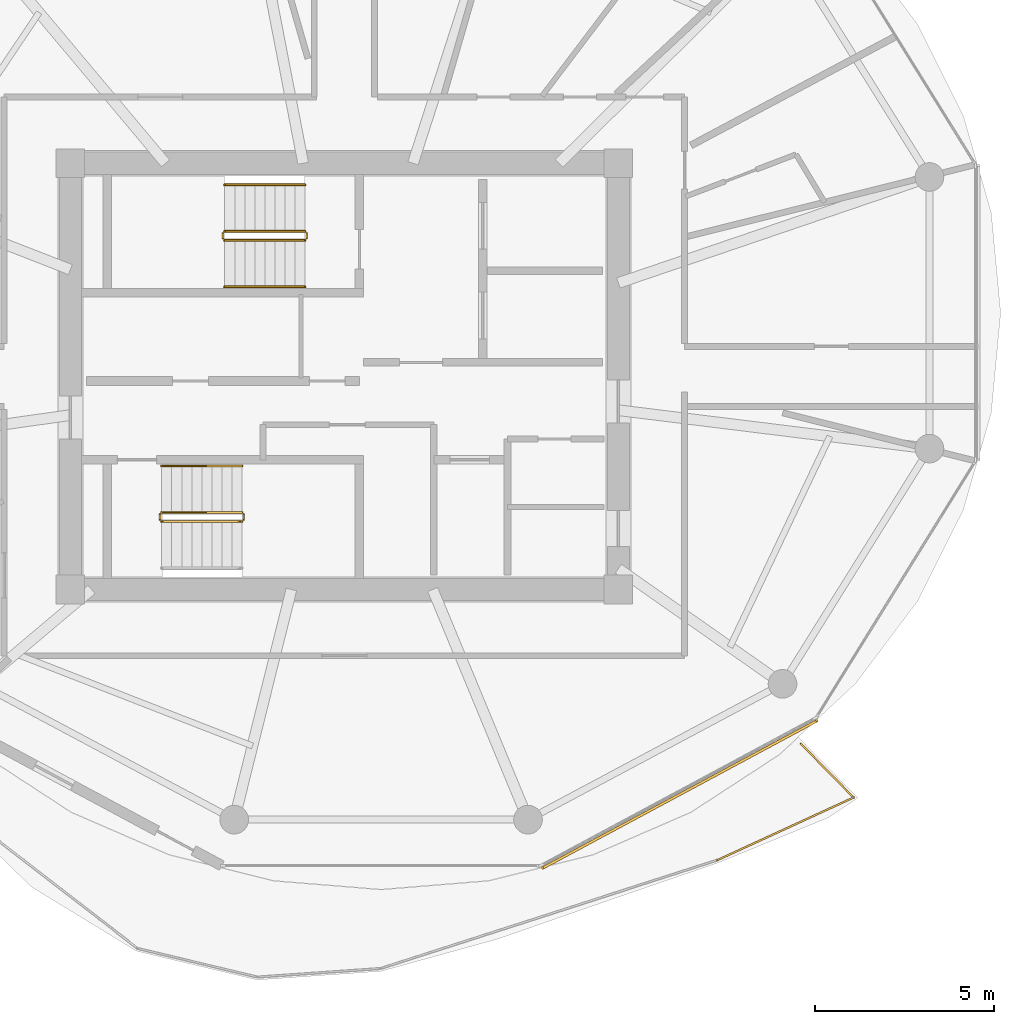
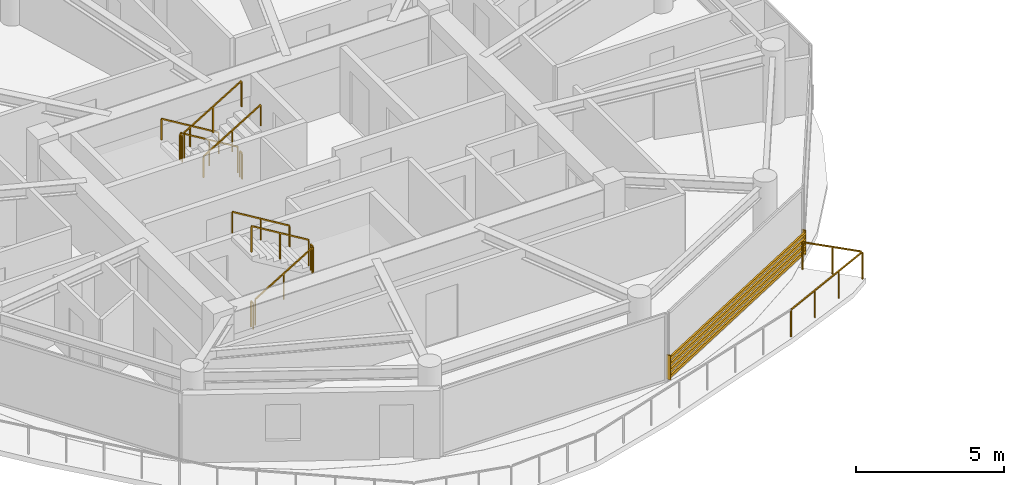
# One storey, part 20 of 22: 12 railings, 1 shading device.
"""IFC4 building model written with IfcOpenShell, lengths in metres."""

from ifc_helpers import new_model, si_unit, direction, frame, origin, origin_2d, place, context, subcontext, project, spatial, rectangle, extrude, source, transform, mapped, material, type_object, type_shapes, element, save


model = new_model("IFC4")

# Units and contexts
model_context = context("Model", 3, precision=1e-05, world=origin(), true_north=direction((0.0, 1.0)))
body_context = subcontext(model_context, "Body", "Model", "MODEL_VIEW")
ifc_project = project(units=[si_unit("LENGTHUNIT", "METRE"), si_unit("AREAUNIT", "SQUARE_METRE"), si_unit("VOLUMEUNIT", "CUBIC_METRE"), si_unit("PLANEANGLEUNIT", "RADIAN"), si_unit("MASSUNIT", "GRAM", prefix="KILO")], contexts=[model_context])

# Site, building, storey
site_placement = place(None, origin())
site = spatial("IfcSite", under=ifc_project, at=site_placement, CompositionType="ELEMENT")
building_placement = place(site_placement, origin())
building = spatial("IfcBuilding", under=site, at=building_placement, Name="Norrkilde Senior Care Towers", CompositionType="ELEMENT")
storey_placement = place(building_placement, frame((0.0, 0.0, 170.89990234375)))
storey = spatial("IfcBuildingStorey", under=building, at=storey_placement, Name="L53", CompositionType="ELEMENT", Elevation=170.89990234375)

# Railings
ifc_material_1 = material(Name="Anodised Aluminium", Category="aluminium")
railing_type_1 = type_object("IfcRailingType", Name="Balcony Swirl Ribbon Guardrail 1150", PredefinedType="GUARDRAIL", material=ifc_material_1)
railing_1_placement = place(storey_placement, frame((-15.26220703125, -10.25244140625, 0.0)))
element("IfcRailing", 1, at=railing_1_placement, inside=storey, type_object=railing_type_1, Name="L53 Perimeter Safety Guard 04", PredefinedType="GUARDRAIL", context=body_context, shape_type="SweptSolid", body=[
    extrude(rectangle(XDim=0.048095703125, YDim=0.048095703125, at=origin_2d()), frame((0.0, 0.0, 1.1259765625), z_axis=(0.701064455285, -0.713097910203, 0.0), x_axis=(0.713097910203, 0.701064455285, 0.0)), (0.0, 0.0, 1.0), 2.069091796875),
    extrude(rectangle(XDim=0.048095703125, YDim=0.048095703125, at=origin_2d()), frame((1.442138671875, -1.521728515625, 1.1259765625), z_axis=(-0.908651766952, -0.417554746608, 0.0), x_axis=(0.417554746608, -0.908651766952, 0.0)), (0.0, 0.0, 1.0), 4.15185546875),
    extrude(rectangle(XDim=0.0419921875, YDim=0.0419921875, at=origin_2d()), origin(), (0.0, 0.0, 1.0), 1.099853515625),
    extrude(rectangle(XDim=0.0419921875, YDim=0.0419921875, at=origin_2d()), frame((0.73974609375, -0.75244140625, 0.0)), (0.0, 0.0, 1.0), 1.099853515625),
    extrude(rectangle(XDim=0.0419921875, YDim=0.0419921875, at=origin_2d()), frame((1.479248046875, -1.504638671875, 0.0)), (0.0, 0.0, 1.0), 1.099853515625),
    extrude(rectangle(XDim=0.0419921875, YDim=0.0419921875, at=origin_2d()), frame((0.209228515625, -2.088134765625, 0.0)), (0.0, 0.0, 1.0), 1.099853515625),
    extrude(rectangle(XDim=0.0419921875, YDim=0.0419921875, at=origin_2d()), frame((-1.060546875, -2.671875, 0.0)), (0.0, 0.0, 1.0), 1.099853515625),
    extrude(rectangle(XDim=0.0419921875, YDim=0.0419921875, at=origin_2d()), frame((-2.33056640625, -3.25537109375, 0.0)), (0.0, 0.0, 1.0), 1.099853515625),
])
ifc_material_2 = material(Name="Stainless Steel", Category="steel")
railing_type_2 = type_object("IfcRailingType", Name="Stair and Terrace Guardrail 1100", PredefinedType="GUARDRAIL", material=ifc_material_2)
railing_2_placement = place(storey_placement, frame((-29.10009765625, 4.050048828125, 0.16943359375)))
element("IfcRailing", 2, at=railing_2_placement, inside=storey, type_object=railing_type_2, Name="L53 ST-W1 stair guard 1", PredefinedType="GUARDRAIL", context=body_context, shape_type="SweptSolid", body=[
    extrude(rectangle(XDim=0.048095703125, YDim=0.048095703125, at=origin_2d()), frame((0.0, 0.0, 1.076171875), z_axis=(-0.855512035549, 0.0, 0.517782924622), x_axis=(0.0, -1.0, 0.0)), (0.0, 0.0, 1.0), 2.618408203125),
    extrude(rectangle(XDim=0.0419921875, YDim=0.0419921875, at=origin_2d()), origin(), (0.0, 0.0, 1.0), 1.050048828125),
    extrude(rectangle(XDim=0.0419921875, YDim=0.0419921875, at=origin_2d()), frame((-1.1201171875, 0.0, 0.677734375)), (0.0, 0.0, 1.0), 1.050048828125),
    extrude(rectangle(XDim=0.0419921875, YDim=0.0419921875, at=origin_2d()), frame((-2.239990234375, 0.0, 1.355712890625)), (0.0, 0.0, 1.0), 1.050048828125),
])
railing_3_placement = place(storey_placement, frame((-31.389892578125, 4.0, 1.525146484375)))
element("IfcRailing", 3, at=railing_3_placement, inside=storey, type_object=railing_type_2, Name="L53 ST-W1 stair guard 2", PredefinedType="GUARDRAIL", context=body_context, shape_type="SweptSolid", body=[
    extrude(rectangle(XDim=0.048095703125, YDim=0.048095703125, at=origin_2d()), frame((0.0, 0.0, 1.076171875), z_axis=(0.0, -1.0, 0.0), x_axis=(1.0, 0.0, 0.0)), (0.0, 0.0, 1.0), 0.14990234375),
    extrude(rectangle(XDim=0.0419921875, YDim=0.0419921875, at=origin_2d()), origin(), (0.0, 0.0, 1.0), 1.050048828125),
    extrude(rectangle(XDim=0.0419921875, YDim=0.0419921875, at=origin_2d()), frame((0.0, -0.14990234375, 0.0)), (0.0, 0.0, 1.0), 1.050048828125),
])
railing_4_placement = place(storey_placement, frame((-31.340087890625, 3.800048828125, 1.694580078125)))
element("IfcRailing", 4, at=railing_4_placement, inside=storey, type_object=railing_type_2, Name="L53 ST-W1 stair guard 3", PredefinedType="GUARDRAIL", context=body_context, shape_type="SweptSolid", body=[
    extrude(rectangle(XDim=0.048095703125, YDim=0.048095703125, at=origin_2d()), frame((0.0, 0.0, 1.076171875), z_axis=(0.855553338991, 0.0, 0.51771467445), x_axis=(0.0, 1.0, 0.0)), (0.0, 0.0, 1.0), 2.6181640625),
    extrude(rectangle(XDim=0.0419921875, YDim=0.0419921875, at=origin_2d()), origin(), (0.0, 0.0, 1.0), 1.050048828125),
    extrude(rectangle(XDim=0.0419921875, YDim=0.0419921875, at=origin_2d()), frame((1.1201171875, 0.0, 0.677734375)), (0.0, 0.0, 1.0), 1.050048828125),
    extrude(rectangle(XDim=0.0419921875, YDim=0.0419921875, at=origin_2d()), frame((2.239990234375, 0.0, 1.35546875)), (0.0, 0.0, 1.0), 1.050048828125),
])
railing_5_placement = place(storey_placement, frame((-29.050048828125, 4.0, 0.0)))
element("IfcRailing", 5, at=railing_5_placement, inside=storey, type_object=railing_type_2, Name="L53 ST-W1 stair guard 4", PredefinedType="GUARDRAIL", context=body_context, shape_type="SweptSolid", body=[
    extrude(rectangle(XDim=0.048095703125, YDim=0.048095703125, at=origin_2d()), frame((0.0, 0.0, 1.076171875), z_axis=(0.0, -1.0, 0.0), x_axis=(1.0, 0.0, 0.0)), (0.0, 0.0, 1.0), 0.14990234375),
    extrude(rectangle(XDim=0.0419921875, YDim=0.0419921875, at=origin_2d()), origin(), (0.0, 0.0, 1.0), 1.050048828125),
    extrude(rectangle(XDim=0.0419921875, YDim=0.0419921875, at=origin_2d()), frame((0.0, -0.14990234375, 0.0)), (0.0, 0.0, 1.0), 1.050048828125),
])
railing_6_placement = place(storey_placement, frame((-33.10009765625, -4.050048828125, 0.16943359375)))
element("IfcRailing", 6, at=railing_6_placement, inside=storey, type_object=railing_type_2, Name="L53 ST-W2 stair guard 1", PredefinedType="GUARDRAIL", context=body_context, shape_type="SweptSolid", body=[
    extrude(rectangle(XDim=0.048095703125, YDim=0.048095703125, at=origin_2d()), frame((0.0, 0.0, 1.076171875), z_axis=(0.855512035549, 0.0, 0.517782924622), x_axis=(0.0, 1.0, 0.0)), (0.0, 0.0, 1.0), 2.618408203125),
    extrude(rectangle(XDim=0.0419921875, YDim=0.0419921875, at=origin_2d()), origin(), (0.0, 0.0, 1.0), 1.050048828125),
    extrude(rectangle(XDim=0.0419921875, YDim=0.0419921875, at=origin_2d()), frame((1.1201171875, 0.0, 0.677734375)), (0.0, 0.0, 1.0), 1.050048828125),
    extrude(rectangle(XDim=0.0419921875, YDim=0.0419921875, at=origin_2d()), frame((2.239990234375, 0.0, 1.355712890625)), (0.0, 0.0, 1.0), 1.050048828125),
])
railing_7_placement = place(storey_placement, frame((-30.81005859375, -4.0, 1.525146484375)))
element("IfcRailing", 7, at=railing_7_placement, inside=storey, type_object=railing_type_2, Name="L53 ST-W2 stair guard 2", PredefinedType="GUARDRAIL", context=body_context, shape_type="SweptSolid", body=[
    extrude(rectangle(XDim=0.048095703125, YDim=0.048095703125, at=origin_2d()), frame((0.0, 0.0, 1.076171875), z_axis=(0.0, 1.0, 0.0), x_axis=(-1.0, 0.0, 0.0)), (0.0, 0.0, 1.0), 0.14990234375),
    extrude(rectangle(XDim=0.0419921875, YDim=0.0419921875, at=origin_2d()), origin(), (0.0, 0.0, 1.0), 1.050048828125),
    extrude(rectangle(XDim=0.0419921875, YDim=0.0419921875, at=origin_2d()), frame((0.0, 0.14990234375, 0.0)), (0.0, 0.0, 1.0), 1.050048828125),
])
railing_8_placement = place(storey_placement, frame((-30.860107421875, -3.800048828125, 1.694580078125)))
element("IfcRailing", 8, at=railing_8_placement, inside=storey, type_object=railing_type_2, Name="L53 ST-W2 stair guard 3", PredefinedType="GUARDRAIL", context=body_context, shape_type="SweptSolid", body=[
    extrude(rectangle(XDim=0.048095703125, YDim=0.048095703125, at=origin_2d()), frame((0.0, 0.0, 1.076171875), z_axis=(-0.855553338991, 0.0, 0.51771467445), x_axis=(0.0, -1.0, 0.0)), (0.0, 0.0, 1.0), 2.6181640625),
    extrude(rectangle(XDim=0.0419921875, YDim=0.0419921875, at=origin_2d()), origin(), (0.0, 0.0, 1.0), 1.050048828125),
    extrude(rectangle(XDim=0.0419921875, YDim=0.0419921875, at=origin_2d()), frame((-1.1201171875, 0.0, 0.677734375)), (0.0, 0.0, 1.0), 1.050048828125),
    extrude(rectangle(XDim=0.0419921875, YDim=0.0419921875, at=origin_2d()), frame((-2.239990234375, 0.0, 1.35546875)), (0.0, 0.0, 1.0), 1.050048828125),
])
railing_9_placement = place(storey_placement, frame((-33.14990234375, -4.0, 0.0)))
element("IfcRailing", 9, at=railing_9_placement, inside=storey, type_object=railing_type_2, Name="L53 ST-W2 stair guard 4", PredefinedType="GUARDRAIL", context=body_context, shape_type="SweptSolid", body=[
    extrude(rectangle(XDim=0.048095703125, YDim=0.048095703125, at=origin_2d()), frame((0.0, 0.0, 1.076171875), z_axis=(0.0, 1.0, 0.0), x_axis=(-1.0, 0.0, 0.0)), (0.0, 0.0, 1.0), 0.14990234375),
    extrude(rectangle(XDim=0.0419921875, YDim=0.0419921875, at=origin_2d()), origin(), (0.0, 0.0, 1.0), 1.050048828125),
    extrude(rectangle(XDim=0.0419921875, YDim=0.0419921875, at=origin_2d()), frame((0.0, 0.14990234375, 0.0)), (0.0, 0.0, 1.0), 1.050048828125),
])
ifc_material_3 = material(Name="Nordic Ash Timber", Category="wood")
railing_type_3 = type_object("IfcRailingType", Name="Wall and Stair Handrail 900", PredefinedType="HANDRAIL", material=ifc_material_3)
railing_10_placement = place(storey_placement, frame((-29.10009765625, 5.35009765625, 0.16943359375)))
element("IfcRailing", 10, at=railing_10_placement, inside=storey, type_object=railing_type_3, Name="L53 ST-W1 stair handrail 1", PredefinedType="HANDRAIL", context=body_context, shape_type="SweptSolid", body=[
    extrude(rectangle(XDim=0.048095703125, YDim=0.048095703125, at=origin_2d()), frame((0.0, 0.0, 0.8759765625), z_axis=(-0.855512035549, 0.0, 0.517782924622), x_axis=(0.0, -1.0, 0.0)), (0.0, 0.0, 1.0), 2.618408203125),
    extrude(rectangle(XDim=0.0419921875, YDim=0.0419921875, at=origin_2d()), origin(), (0.0, 0.0, 1.0), 0.849853515625),
    extrude(rectangle(XDim=0.0419921875, YDim=0.0419921875, at=origin_2d()), frame((-1.1201171875, 0.0, 0.677734375)), (0.0, 0.0, 1.0), 0.849853515625),
    extrude(rectangle(XDim=0.0419921875, YDim=0.0419921875, at=origin_2d()), frame((-2.239990234375, 0.0, 1.355712890625)), (0.0, 0.0, 1.0), 0.849853515625),
])
railing_11_placement = place(storey_placement, frame((-31.340087890625, 2.5, 1.694580078125)))
element("IfcRailing", 11, at=railing_11_placement, inside=storey, type_object=railing_type_3, Name="L53 ST-W1 stair handrail 2", PredefinedType="HANDRAIL", context=body_context, shape_type="SweptSolid", body=[
    extrude(rectangle(XDim=0.048095703125, YDim=0.048095703125, at=origin_2d()), frame((0.0, 0.0, 0.8759765625), z_axis=(0.855553338991, 0.0, 0.51771467445), x_axis=(0.0, 1.0, 0.0)), (0.0, 0.0, 1.0), 2.6181640625),
    extrude(rectangle(XDim=0.0419921875, YDim=0.0419921875, at=origin_2d()), origin(), (0.0, 0.0, 1.0), 0.849853515625),
    extrude(rectangle(XDim=0.0419921875, YDim=0.0419921875, at=origin_2d()), frame((1.1201171875, 0.0, 0.677734375)), (0.0, 0.0, 1.0), 0.849853515625),
    extrude(rectangle(XDim=0.0419921875, YDim=0.0419921875, at=origin_2d()), frame((2.239990234375, 0.0, 1.35546875)), (0.0, 0.0, 1.0), 0.849853515625),
])
railing_12_placement = place(storey_placement, frame((-30.860107421875, -2.5, 1.694580078125)))
element("IfcRailing", 12, at=railing_12_placement, inside=storey, type_object=railing_type_3, Name="L53 ST-W2 stair handrail 2", PredefinedType="HANDRAIL", context=body_context, shape_type="SweptSolid", body=[
    extrude(rectangle(XDim=0.048095703125, YDim=0.048095703125, at=origin_2d()), frame((0.0, 0.0, 0.8759765625), z_axis=(-0.855553338991, 0.0, 0.51771467445), x_axis=(0.0, -1.0, 0.0)), (0.0, 0.0, 1.0), 2.6181640625),
    extrude(rectangle(XDim=0.0419921875, YDim=0.0419921875, at=origin_2d()), origin(), (0.0, 0.0, 1.0), 0.849853515625),
    extrude(rectangle(XDim=0.0419921875, YDim=0.0419921875, at=origin_2d()), frame((-1.1201171875, 0.0, 0.677734375)), (0.0, 0.0, 1.0), 0.849853515625),
    extrude(rectangle(XDim=0.0419921875, YDim=0.0419921875, at=origin_2d()), frame((-2.239990234375, 0.0, 1.35546875)), (0.0, 0.0, 1.0), 0.849853515625),
])

# Shading device
ifc_material_4 = material(Name="Architectural Terracotta", Category="masonry")
shading_device_type = type_object("IfcShadingDeviceType", Name="Horizontal Terracotta Baguette Rack", PredefinedType="USERDEFINED", material=ifc_material_4)
shared_shape = source(origin(), body_context, "Body", "SweptSolid", [
    extrude(rectangle(XDim=0.070068359375, YDim=0.110107421875, at=origin_2d()), frame((0.0, 0.090087890625, 0.125), z_axis=(1.0, 0.0, 0.0), x_axis=(0.0, 1.0, 0.0)), (0.0, 0.0, 1.0), 8.741943359375),
    extrude(rectangle(XDim=0.070068359375, YDim=0.110107421875, at=origin_2d()), frame((0.0, 0.090087890625, 0.375), z_axis=(1.0, 0.0, 0.0), x_axis=(0.0, 1.0, 0.0)), (0.0, 0.0, 1.0), 8.741943359375),
    extrude(rectangle(XDim=0.070068359375, YDim=0.110107421875, at=origin_2d()), frame((0.0, 0.090087890625, 0.625), z_axis=(1.0, 0.0, 0.0), x_axis=(0.0, 1.0, 0.0)), (0.0, 0.0, 1.0), 8.741943359375),
    extrude(rectangle(XDim=0.070068359375, YDim=0.110107421875, at=origin_2d()), frame((0.0, 0.090087890625, 0.875), z_axis=(1.0, 0.0, 0.0), x_axis=(0.0, 1.0, 0.0)), (0.0, 0.0, 1.0), 8.741943359375),
    extrude(rectangle(XDim=0.050048828125, YDim=0.1552734375, at=origin_2d()), frame((0.02490234375, 0.047607421875, 0.0)), (0.0, 0.0, 1.0), 1.0),
    extrude(rectangle(XDim=0.050048828125, YDim=0.1552734375, at=origin_2d()), frame((8.716796875, 0.047607421875, 0.0)), (0.0, 0.0, 1.0), 1.0),
])
type_shapes(shading_device_type, [shared_shape])
shading_device_placement = place(storey_placement, frame((-14.826904296875, -9.524169921875, 0.080078125), z_axis=(0.0, 0.0, 1.0), x_axis=(-0.881000921608, -0.473119781048, 0.0)))
element("IfcShadingDevice", 13, at=shading_device_placement, inside=storey, type_object=shading_device_type, Name="L53 Drum W Terracotta Baguette Screen 09", ObjectType="BAGUETTE", PredefinedType="USERDEFINED", context=body_context, shape_type="MappedRepresentation", body=[
    mapped(shared_shape, transform((0.0, 0.0, 0.0), x_axis=(1.0, 0.0, 0.0), y_axis=(0.0, 1.0, 0.0), z_axis=(0.0, 0.0, 1.0), scale=1.0)),
])

save(model, "model.ifc")
